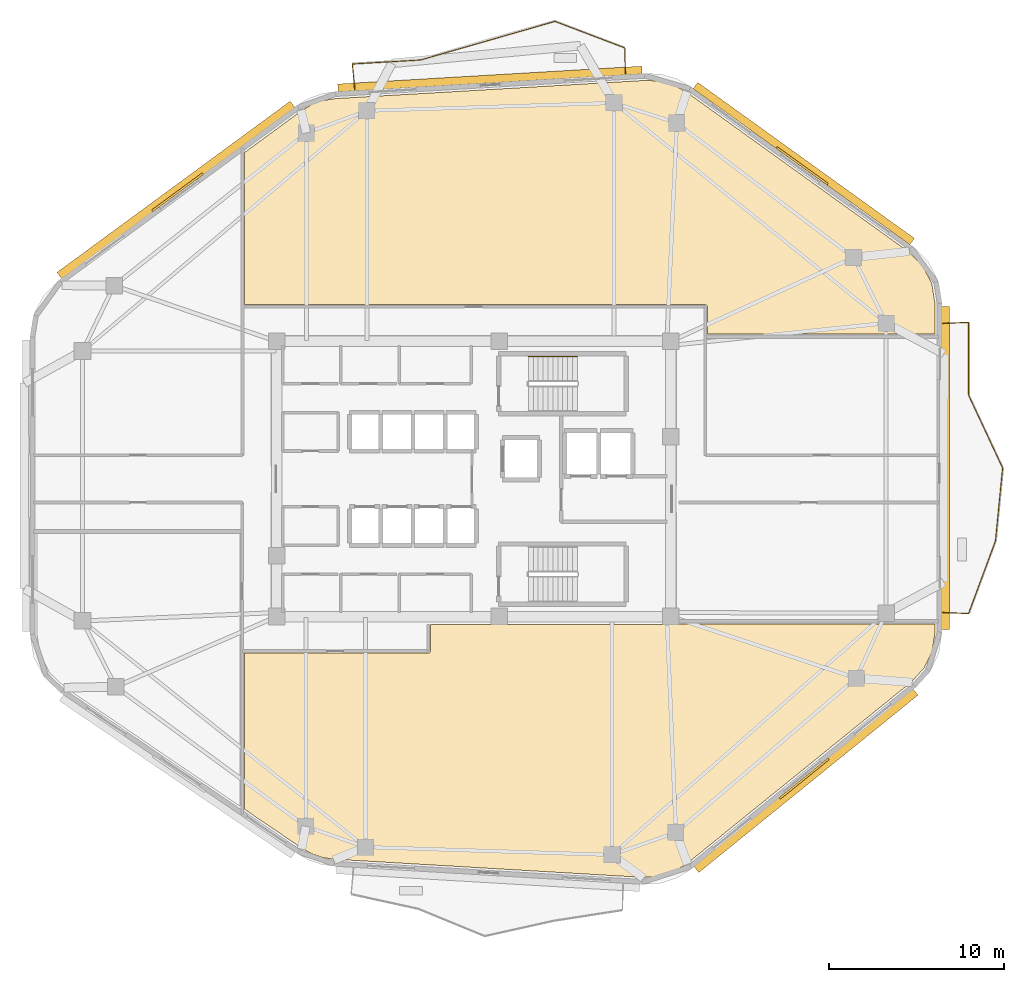
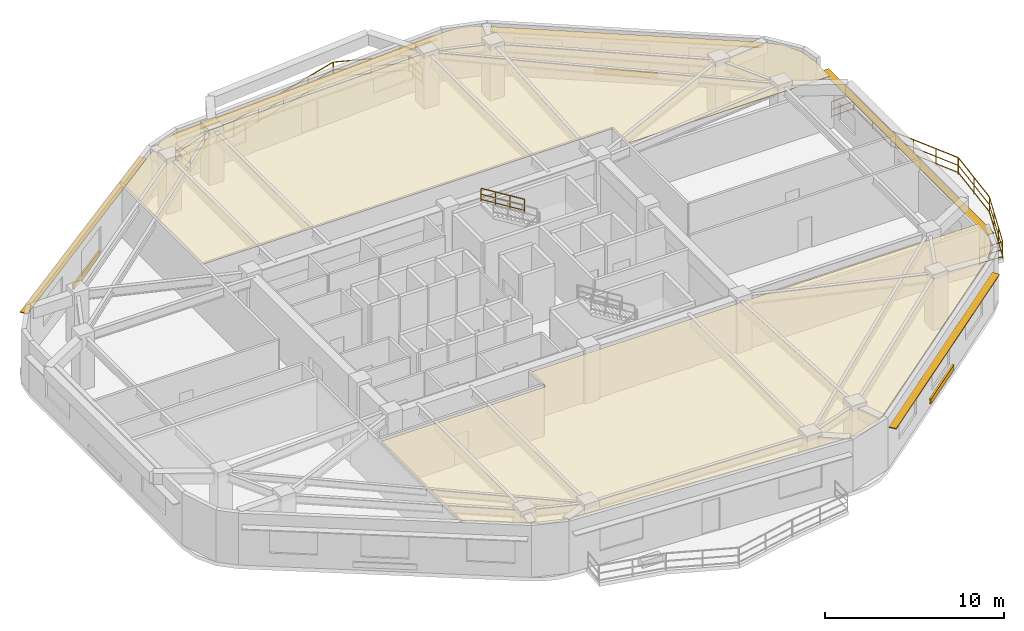
# One storey, part 8 of 8: 12 railings, 8 shading devices, 2 coverings.
"""IFC4 building model written with IfcOpenShell, lengths in metres."""

from ifc_helpers import new_model, si_unit, direction, frame, origin, origin_2d, place, context, subcontext, project, spatial, polyline, rectangle, outline, extrude, material, layer, layer_set, type_object, element, save


model = new_model("IFC4")

# Units and contexts
model_context = context("Model", 3, precision=1e-05, world=origin(), true_north=direction((0.0, 1.0)))
body_context = subcontext(model_context, "Body", "Model", "MODEL_VIEW")
ifc_project = project(units=[si_unit("LENGTHUNIT", "METRE"), si_unit("AREAUNIT", "SQUARE_METRE"), si_unit("VOLUMEUNIT", "CUBIC_METRE"), si_unit("PLANEANGLEUNIT", "RADIAN"), si_unit("MASSUNIT", "GRAM", prefix="KILO")], contexts=[model_context])

# Site, building, storey
site_placement = place(None, origin())
site = spatial("IfcSite", under=ifc_project, at=site_placement, CompositionType="ELEMENT")
building_placement = place(site_placement, origin())
building = spatial("IfcBuilding", under=site, at=building_placement, Name="Zulverin Broadcast Headquarters", CompositionType="ELEMENT")
storey_placement = place(building_placement, frame((0.0, 0.0, 204.800048828125)))
storey = spatial("IfcBuildingStorey", under=building, at=storey_placement, Name="L52", CompositionType="ELEMENT", Elevation=204.800048828125)

# Coverings
ifc_material_1 = material(Name="Perforated pale-metal acoustic baffle ceiling", Category="aluminium")
ifc_layer_1 = layer(ifc_material_1, 0.0400390625, Name="Perforated pale-metal acoustic baffle ceiling", Category="aluminium")
ifc_layer_set_1 = layer_set([ifc_layer_1], Name="Perforated pale-metal acoustic baffle ceiling")
covering_type = type_object("IfcCoveringType", Name="COV-CEIL-ACOU", PredefinedType="CEILING", material=ifc_layer_set_1)
covering_1_placement = place(storey_placement, frame((0.0, 0.0, 3.35986328125)))
element("IfcCovering", 1, at=covering_1_placement, inside=storey, type_object=covering_type, Name="L52 Acoustic Baffle Ceiling 01", PredefinedType="CEILING", context=body_context, shape_type="SweptSolid", body=[
    extrude(outline(polyline([(47.676025390625, 47.968017578125), (46.840087890625, 48.01611328125), (29.075927734375, 46.971923828125), (28.3759765625, 46.864013671875), (27.73193359375, 46.632080078125), (27.1279296875, 46.26806640625), (23.8720703125, 43.8798828125), (23.8720703125, 35.172119140625), (50.251953125, 35.172119140625), (50.263916015625, 35.172119140625), (50.27587890625, 35.16796875), (50.2880859375, 35.16796875), (50.2958984375, 35.1640625), (50.30810546875, 35.156005859375), (50.320068359375, 35.152099609375), (50.327880859375, 35.14404296875), (50.3359375, 35.135986328125), (50.343994140625, 35.1279296875), (50.35205078125, 35.1201171875), (50.35595703125, 35.10791015625), (50.364013671875, 35.095947265625), (50.367919921875, 35.087890625), (50.367919921875, 35.075927734375), (50.3720703125, 35.06396484375), (50.3720703125, 35.052001953125), (50.3720703125, 33.5), (63.39990234375, 33.5), (63.39990234375, 35.236083984375), (63.216064453125, 36.384033203125), (62.699951171875, 37.387939453125), (61.8798828125, 38.2080078125), (49.196044921875, 47.33203125), (48.4599609375, 47.739990234375), (47.676025390625, 47.968017578125)])), origin(), (0.0, 0.0, 1.0), 0.0400390625),
])
covering_2_placement = place(storey_placement, frame((0.0, 0.0, 3.35986328125)))
element("IfcCovering", 2, at=covering_2_placement, inside=storey, type_object=covering_type, Name="L52 Acoustic Baffle Ceiling 02", PredefinedType="CEILING", context=body_context, shape_type="SweptSolid", body=[
    extrude(outline(polyline([(48.6240234375, 16.884033203125), (48.612060546875, 16.8798828125), (48.60009765625, 16.8798828125), (34.52001953125, 16.8798828125), (34.52001953125, 15.35205078125), (34.52001953125, 15.340087890625), (34.51611328125, 15.327880859375), (34.51611328125, 15.31591796875), (34.511962890625, 15.30810546875), (34.50390625, 15.2958984375), (34.5, 15.283935546875), (34.491943359375, 15.27587890625), (34.48388671875, 15.26806640625), (34.47607421875, 15.260009765625), (34.468017578125, 15.251953125), (34.4560546875, 15.248046875), (34.444091796875, 15.239990234375), (34.43603515625, 15.236083984375), (34.424072265625, 15.236083984375), (34.412109375, 15.23193359375), (34.39990234375, 15.23193359375), (23.8720703125, 15.23193359375), (23.8720703125, 6.2919921875), (27.156005859375, 4.06396484375), (27.73193359375, 3.739990234375), (28.343994140625, 3.531982421875), (29.0, 3.431884765625), (46.7080078125, 2.39208984375), (47.612060546875, 2.451904296875), (48.4560546875, 2.719970703125), (49.22802734375, 3.199951171875), (62.0400390625, 13.572021484375), (62.780029296875, 14.3798828125), (63.239990234375, 15.340087890625), (63.39990234375, 16.419921875), (63.39990234375, 16.89990234375), (48.66796875, 16.89990234375), (48.656005859375, 16.89599609375), (48.64404296875, 16.887939453125), (48.635986328125, 16.884033203125), (48.6240234375, 16.884033203125)])), origin(), (0.0, 0.0, 1.0), 0.0400390625),
])

# Railings
ifc_material_2 = material(Name="Brushed stainless steel & laminated glass balustrade", Category="steel")
railing_type_1 = type_object("IfcRailingType", Name="RL-GUARD-1150", PredefinedType="GUARDRAIL", material=ifc_material_2)
railing_1_placement = place(storey_placement, frame((63.840087890625, 17.55029296875, 0.0)))
element("IfcRailing", 3, at=railing_1_placement, inside=storey, type_object=railing_type_1, Name="L52 Vertical-Forest Balcony Guardrail BAL_E Segment 01", PredefinedType="GUARDRAIL", context=body_context, shape_type="SweptSolid", body=[
    extrude(rectangle(XDim=0.048095703125, YDim=0.048095703125, at=origin_2d()), frame((0.0, 0.0, 1.1259765625), z_axis=(0.99918088253, -0.040466825742, 0.0), x_axis=(0.040466825742, 0.99918088253, 0.0)), (0.0, 0.0, 1.0), 1.466064453125),
    extrude(rectangle(XDim=0.0419921875, YDim=0.0419921875, at=origin_2d()), frame((0.0, 0.0, 0.597900390625), z_axis=(0.99918088253, -0.040466825742, 0.0), x_axis=(0.040466825742, 0.99918088253, 0.0)), (0.0, 0.0, 1.0), 1.466064453125),
    extrude(rectangle(XDim=0.0419921875, YDim=0.0419921875, at=origin_2d()), frame((0.0, 0.0, 0.1201171875), z_axis=(0.99918088253, -0.040466825742, 0.0), x_axis=(0.040466825742, 0.99918088253, 0.0)), (0.0, 0.0, 1.0), 1.466064453125),
    extrude(rectangle(XDim=0.0419921875, YDim=0.0419921875, at=origin_2d()), origin(), (0.0, 0.0, 1.0), 1.101806640625),
    extrude(rectangle(XDim=0.0419921875, YDim=0.0419921875, at=origin_2d()), frame((1.46484375, -0.059326171875, 0.0)), (0.0, 0.0, 1.0), 1.101806640625),
])
railing_2_placement = place(storey_placement, frame((65.3251953125, 17.50439453125, 0.0)))
element("IfcRailing", 4, at=railing_2_placement, inside=storey, type_object=railing_type_1, Name="L52 Vertical-Forest Balcony Guardrail BAL_E Segment 02", PredefinedType="GUARDRAIL", context=body_context, shape_type="SweptSolid", body=[
    extrude(rectangle(XDim=0.048095703125, YDim=0.048095703125, at=origin_2d()), frame((0.0, 0.0, 1.1259765625), z_axis=(0.347029795365, 0.937854104394, 0.0), x_axis=(-0.937854104394, 0.347029795365, 0.0)), (0.0, 0.0, 1.0), 4.415283203125),
    extrude(rectangle(XDim=0.0419921875, YDim=0.0419921875, at=origin_2d()), frame((0.0, 0.0, 0.597900390625), z_axis=(0.347029795365, 0.937854104394, 0.0), x_axis=(-0.937854104394, 0.347029795365, 0.0)), (0.0, 0.0, 1.0), 4.415283203125),
    extrude(rectangle(XDim=0.0419921875, YDim=0.0419921875, at=origin_2d()), frame((0.0, 0.0, 0.1201171875), z_axis=(0.347029795365, 0.937854104394, 0.0), x_axis=(-0.937854104394, 0.347029795365, 0.0)), (0.0, 0.0, 1.0), 4.415283203125),
    extrude(rectangle(XDim=0.0419921875, YDim=0.0419921875, at=origin_2d()), origin(), (0.0, 0.0, 1.0), 1.101806640625),
    extrude(rectangle(XDim=0.0419921875, YDim=0.0419921875, at=origin_2d()), frame((0.5107421875, 1.38037109375, 0.0)), (0.0, 0.0, 1.0), 1.101806640625),
    extrude(rectangle(XDim=0.0419921875, YDim=0.0419921875, at=origin_2d()), frame((1.021484375, 2.760498046875, 0.0)), (0.0, 0.0, 1.0), 1.101806640625),
    extrude(rectangle(XDim=0.0419921875, YDim=0.0419921875, at=origin_2d()), frame((1.5322265625, 4.140869140625, 0.0)), (0.0, 0.0, 1.0), 1.101806640625),
])
railing_3_placement = place(storey_placement, frame((66.864013671875, 21.67431640625, 0.0)))
element("IfcRailing", 5, at=railing_3_placement, inside=storey, type_object=railing_type_1, Name="L52 Vertical-Forest Balcony Guardrail BAL_E Segment 03", PredefinedType="GUARDRAIL", context=body_context, shape_type="SweptSolid", body=[
    extrude(rectangle(XDim=0.048095703125, YDim=0.048095703125, at=origin_2d()), frame((0.0, 0.0, 1.1259765625), z_axis=(0.097271576097, 0.995257876374, 0.0), x_axis=(-0.995257876374, 0.097271576097, 0.0)), (0.0, 0.0, 1.0), 4.158935546875),
    extrude(rectangle(XDim=0.0419921875, YDim=0.0419921875, at=origin_2d()), frame((0.0, 0.0, 0.597900390625), z_axis=(0.097271576097, 0.995257876374, 0.0), x_axis=(-0.995257876374, 0.097271576097, 0.0)), (0.0, 0.0, 1.0), 4.158935546875),
    extrude(rectangle(XDim=0.0419921875, YDim=0.0419921875, at=origin_2d()), frame((0.0, 0.0, 0.1201171875), z_axis=(0.097271576097, 0.995257876374, 0.0), x_axis=(-0.995257876374, 0.097271576097, 0.0)), (0.0, 0.0, 1.0), 4.158935546875),
    extrude(rectangle(XDim=0.0419921875, YDim=0.0419921875, at=origin_2d()), origin(), (0.0, 0.0, 1.0), 1.101806640625),
    extrude(rectangle(XDim=0.0419921875, YDim=0.0419921875, at=origin_2d()), frame((0.2021484375, 2.069580078125, 0.0)), (0.0, 0.0, 1.0), 1.101806640625),
    extrude(rectangle(XDim=0.0419921875, YDim=0.0419921875, at=origin_2d()), frame((0.404541015625, 4.13916015625, 0.0)), (0.0, 0.0, 1.0), 1.101806640625),
])
railing_4_placement = place(storey_placement, frame((67.263671875, 25.841796875, 0.0)))
element("IfcRailing", 6, at=railing_4_placement, inside=storey, type_object=railing_type_1, Name="L52 Vertical-Forest Balcony Guardrail BAL_E Segment 04", PredefinedType="GUARDRAIL", context=body_context, shape_type="SweptSolid", body=[
    extrude(rectangle(XDim=0.048095703125, YDim=0.048095703125, at=origin_2d()), frame((0.0, 0.0, 1.1259765625), z_axis=(-0.423674510022, 0.905814500633, 0.0), x_axis=(-0.905814500633, -0.423674510022, 0.0)), (0.0, 0.0, 1.0), 4.572509765625),
    extrude(rectangle(XDim=0.0419921875, YDim=0.0419921875, at=origin_2d()), frame((0.0, 0.0, 0.597900390625), z_axis=(-0.423674510022, 0.905814500633, 0.0), x_axis=(-0.905814500633, -0.423674510022, 0.0)), (0.0, 0.0, 1.0), 4.572509765625),
    extrude(rectangle(XDim=0.0419921875, YDim=0.0419921875, at=origin_2d()), frame((0.0, 0.0, 0.1201171875), z_axis=(-0.423674510022, 0.905814500633, 0.0), x_axis=(-0.905814500633, -0.423674510022, 0.0)), (0.0, 0.0, 1.0), 4.572509765625),
    extrude(rectangle(XDim=0.0419921875, YDim=0.0419921875, at=origin_2d()), origin(), (0.0, 0.0, 1.0), 1.101806640625),
    extrude(rectangle(XDim=0.0419921875, YDim=0.0419921875, at=origin_2d()), frame((-0.645751953125, 1.380615234375, 0.0)), (0.0, 0.0, 1.0), 1.101806640625),
    extrude(rectangle(XDim=0.0419921875, YDim=0.0419921875, at=origin_2d()), frame((-1.29150390625, 2.76123046875, 0.0)), (0.0, 0.0, 1.0), 1.101806640625),
    extrude(rectangle(XDim=0.0419921875, YDim=0.0419921875, at=origin_2d()), frame((-1.937255859375, 4.141845703125, 0.0)), (0.0, 0.0, 1.0), 1.101806640625),
])
railing_5_placement = place(storey_placement, frame((65.320068359375, 30.01220703125, 0.0)))
element("IfcRailing", 7, at=railing_5_placement, inside=storey, type_object=railing_type_1, Name="L52 Vertical-Forest Balcony Guardrail BAL_E Segment 05", PredefinedType="GUARDRAIL", context=body_context, shape_type="SweptSolid", body=[
    extrude(rectangle(XDim=0.048095703125, YDim=0.048095703125, at=origin_2d()), frame((0.0, 0.0, 1.1259765625), z_axis=(0.0, 1.0, 0.0), x_axis=(-1.0, 0.0, 0.0)), (0.0, 0.0, 1.0), 4.138916015625),
    extrude(rectangle(XDim=0.0419921875, YDim=0.0419921875, at=origin_2d()), frame((0.0, 0.0, 0.597900390625), z_axis=(0.0, 1.0, 0.0), x_axis=(-1.0, 0.0, 0.0)), (0.0, 0.0, 1.0), 4.138916015625),
    extrude(rectangle(XDim=0.0419921875, YDim=0.0419921875, at=origin_2d()), frame((0.0, 0.0, 0.1201171875), z_axis=(0.0, 1.0, 0.0), x_axis=(-1.0, 0.0, 0.0)), (0.0, 0.0, 1.0), 4.138916015625),
    extrude(rectangle(XDim=0.0419921875, YDim=0.0419921875, at=origin_2d()), origin(), (0.0, 0.0, 1.0), 1.101806640625),
    extrude(rectangle(XDim=0.0419921875, YDim=0.0419921875, at=origin_2d()), frame((0.0, 2.0693359375, 0.0)), (0.0, 0.0, 1.0), 1.101806640625),
    extrude(rectangle(XDim=0.0419921875, YDim=0.0419921875, at=origin_2d()), frame((0.0, 4.138916015625, 0.0)), (0.0, 0.0, 1.0), 1.101806640625),
])
railing_6_placement = place(storey_placement, frame((65.304931640625, 34.16552734375, 0.0)))
element("IfcRailing", 8, at=railing_6_placement, inside=storey, type_object=railing_type_1, Name="L52 Vertical-Forest Balcony Guardrail BAL_E Segment 06", PredefinedType="GUARDRAIL", context=body_context, shape_type="SweptSolid", body=[
    extrude(rectangle(XDim=0.048095703125, YDim=0.048095703125, at=origin_2d()), frame((0.0, 0.0, 1.1259765625), z_axis=(-0.99918088253, -0.040466825742, 0.0), x_axis=(0.040466825742, -0.99918088253, 0.0)), (0.0, 0.0, 1.0), 1.466064453125),
    extrude(rectangle(XDim=0.0419921875, YDim=0.0419921875, at=origin_2d()), frame((0.0, 0.0, 0.597900390625), z_axis=(-0.99918088253, -0.040466825742, 0.0), x_axis=(0.040466825742, -0.99918088253, 0.0)), (0.0, 0.0, 1.0), 1.466064453125),
    extrude(rectangle(XDim=0.0419921875, YDim=0.0419921875, at=origin_2d()), frame((0.0, 0.0, 0.1201171875), z_axis=(-0.99918088253, -0.040466825742, 0.0), x_axis=(0.040466825742, -0.99918088253, 0.0)), (0.0, 0.0, 1.0), 1.466064453125),
    extrude(rectangle(XDim=0.0419921875, YDim=0.0419921875, at=origin_2d()), origin(), (0.0, 0.0, 1.0), 1.101806640625),
    extrude(rectangle(XDim=0.0419921875, YDim=0.0419921875, at=origin_2d()), frame((-1.46484375, -0.059326171875, 0.0)), (0.0, 0.0, 1.0), 1.101806640625),
])
railing_7_placement = place(storey_placement, frame((45.677734375, 48.388427734375, 0.0)))
element("IfcRailing", 9, at=railing_7_placement, inside=storey, type_object=railing_type_1, Name="L52 Vertical-Forest Balcony Guardrail BAL_N Segment 01", PredefinedType="GUARDRAIL", context=body_context, shape_type="SweptSolid", body=[
    extrude(rectangle(XDim=0.048095703125, YDim=0.048095703125, at=origin_2d()), frame((0.0, 0.0, 1.1259765625), z_axis=(-0.018318045163, 0.999832210534, 0.0), x_axis=(-0.999832210534, -0.018318045163, 0.0)), (0.0, 0.0, 1.0), 1.466064453125),
    extrude(rectangle(XDim=0.0419921875, YDim=0.0419921875, at=origin_2d()), frame((0.0, 0.0, 0.597900390625), z_axis=(-0.018318045163, 0.999832210534, 0.0), x_axis=(-0.999832210534, -0.018318045163, 0.0)), (0.0, 0.0, 1.0), 1.466064453125),
    extrude(rectangle(XDim=0.0419921875, YDim=0.0419921875, at=origin_2d()), frame((0.0, 0.0, 0.1201171875), z_axis=(-0.018318045163, 0.999832210534, 0.0), x_axis=(-0.999832210534, -0.018318045163, 0.0)), (0.0, 0.0, 1.0), 1.466064453125),
    extrude(rectangle(XDim=0.0419921875, YDim=0.0419921875, at=origin_2d()), origin(), (0.0, 0.0, 1.0), 1.101806640625),
    extrude(rectangle(XDim=0.0419921875, YDim=0.0419921875, at=origin_2d()), frame((-0.02685546875, 1.4658203125, 0.0)), (0.0, 0.0, 1.0), 1.101806640625),
])
railing_8_placement = place(storey_placement, frame((45.63671875, 49.87451171875, 0.0)))
element("IfcRailing", 10, at=railing_8_placement, inside=storey, type_object=railing_type_1, Name="L52 Vertical-Forest Balcony Guardrail BAL_N Segment 02", PredefinedType="GUARDRAIL", context=body_context, shape_type="SweptSolid", body=[
    extrude(rectangle(XDim=0.048095703125, YDim=0.048095703125, at=origin_2d()), frame((0.0, 0.0, 1.1259765625), z_axis=(-0.934791965377, 0.355195694605, 0.0), x_axis=(-0.355195694605, -0.934791965377, 0.0)), (0.0, 0.0, 1.0), 4.25390625),
    extrude(rectangle(XDim=0.0419921875, YDim=0.0419921875, at=origin_2d()), frame((0.0, 0.0, 0.597900390625), z_axis=(-0.934791965377, 0.355195694605, 0.0), x_axis=(-0.355195694605, -0.934791965377, 0.0)), (0.0, 0.0, 1.0), 4.25390625),
    extrude(rectangle(XDim=0.0419921875, YDim=0.0419921875, at=origin_2d()), frame((0.0, 0.0, 0.1201171875), z_axis=(-0.934791965377, 0.355195694605, 0.0), x_axis=(-0.355195694605, -0.934791965377, 0.0)), (0.0, 0.0, 1.0), 4.25390625),
    extrude(rectangle(XDim=0.0419921875, YDim=0.0419921875, at=origin_2d()), origin(), (0.0, 0.0, 1.0), 1.101806640625),
    extrude(rectangle(XDim=0.0419921875, YDim=0.0419921875, at=origin_2d()), frame((-1.98828125, 0.75537109375, 0.0)), (0.0, 0.0, 1.0), 1.101806640625),
    extrude(rectangle(XDim=0.0419921875, YDim=0.0419921875, at=origin_2d()), frame((-3.9765625, 1.510986328125, 0.0)), (0.0, 0.0, 1.0), 1.101806640625),
])
railing_9_placement = place(storey_placement, frame((41.631591796875, 51.38671875, 0.0)))
element("IfcRailing", 11, at=railing_9_placement, inside=storey, type_object=railing_type_1, Name="L52 Vertical-Forest Balcony Guardrail BAL_N Segment 03", PredefinedType="GUARDRAIL", context=body_context, shape_type="SweptSolid", body=[
    extrude(rectangle(XDim=0.048095703125, YDim=0.048095703125, at=origin_2d()), frame((0.0, 0.0, 1.1259765625), z_axis=(-0.961187309385, -0.27589664057, 0.0), x_axis=(0.27589664057, -0.961187309385, 0.0)), (0.0, 0.0, 1.0), 7.98095703125),
    extrude(rectangle(XDim=0.0419921875, YDim=0.0419921875, at=origin_2d()), frame((0.0, 0.0, 0.597900390625), z_axis=(-0.961187309385, -0.27589664057, 0.0), x_axis=(0.27589664057, -0.961187309385, 0.0)), (0.0, 0.0, 1.0), 7.98095703125),
    extrude(rectangle(XDim=0.0419921875, YDim=0.0419921875, at=origin_2d()), frame((0.0, 0.0, 0.1201171875), z_axis=(-0.961187309385, -0.27589664057, 0.0), x_axis=(0.27589664057, -0.961187309385, 0.0)), (0.0, 0.0, 1.0), 7.98095703125),
    extrude(rectangle(XDim=0.0419921875, YDim=0.0419921875, at=origin_2d()), origin(), (0.0, 0.0, 1.0), 1.101806640625),
    extrude(rectangle(XDim=0.0419921875, YDim=0.0419921875, at=origin_2d()), frame((-1.917724609375, -0.550537109375, 0.0)), (0.0, 0.0, 1.0), 1.101806640625),
    extrude(rectangle(XDim=0.0419921875, YDim=0.0419921875, at=origin_2d()), frame((-3.83544921875, -1.10107421875, 0.0)), (0.0, 0.0, 1.0), 1.101806640625),
    extrude(rectangle(XDim=0.0419921875, YDim=0.0419921875, at=origin_2d()), frame((-5.75341796875, -1.6513671875, 0.0)), (0.0, 0.0, 1.0), 1.101806640625),
    extrude(rectangle(XDim=0.0419921875, YDim=0.0419921875, at=origin_2d()), frame((-7.671142578125, -2.201904296875, 0.0)), (0.0, 0.0, 1.0), 1.101806640625),
])
railing_10_placement = place(storey_placement, frame((33.93115234375, 49.179931640625, 0.0)))
element("IfcRailing", 12, at=railing_10_placement, inside=storey, type_object=railing_type_1, Name="L52 Vertical-Forest Balcony Guardrail BAL_N Segment 04", PredefinedType="GUARDRAIL", context=body_context, shape_type="SweptSolid", body=[
    extrude(rectangle(XDim=0.048095703125, YDim=0.048095703125, at=origin_2d()), frame((0.0, 0.0, 1.1259765625), z_axis=(-0.998273721898, -0.058733092605, 0.0), x_axis=(0.058733092605, -0.998273721898, 0.0)), (0.0, 0.0, 1.0), 3.878173828125),
    extrude(rectangle(XDim=0.0419921875, YDim=0.0419921875, at=origin_2d()), frame((0.0, 0.0, 0.597900390625), z_axis=(-0.998273721898, -0.058733092605, 0.0), x_axis=(0.058733092605, -0.998273721898, 0.0)), (0.0, 0.0, 1.0), 3.878173828125),
    extrude(rectangle(XDim=0.0419921875, YDim=0.0419921875, at=origin_2d()), frame((0.0, 0.0, 0.1201171875), z_axis=(-0.998273721898, -0.058733092605, 0.0), x_axis=(0.058733092605, -0.998273721898, 0.0)), (0.0, 0.0, 1.0), 3.878173828125),
    extrude(rectangle(XDim=0.0419921875, YDim=0.0419921875, at=origin_2d()), origin(), (0.0, 0.0, 1.0), 1.101806640625),
    extrude(rectangle(XDim=0.0419921875, YDim=0.0419921875, at=origin_2d()), frame((-1.935791015625, -0.11376953125, 0.0)), (0.0, 0.0, 1.0), 1.101806640625),
    extrude(rectangle(XDim=0.0419921875, YDim=0.0419921875, at=origin_2d()), frame((-3.87158203125, -0.227783203125, 0.0)), (0.0, 0.0, 1.0), 1.101806640625),
])
railing_11_placement = place(storey_placement, frame((30.0458984375, 48.936279296875, 0.0)))
element("IfcRailing", 13, at=railing_11_placement, inside=storey, type_object=railing_type_1, Name="L52 Vertical-Forest Balcony Guardrail BAL_N Segment 05", PredefinedType="GUARDRAIL", context=body_context, shape_type="SweptSolid", body=[
    extrude(rectangle(XDim=0.048095703125, YDim=0.048095703125, at=origin_2d()), frame((0.0, 0.0, 1.1259765625), z_axis=(0.099256382944, -0.995061892771, 0.0), x_axis=(0.995061892771, 0.099256382944, 0.0)), (0.0, 0.0, 1.0), 1.466064453125),
    extrude(rectangle(XDim=0.0419921875, YDim=0.0419921875, at=origin_2d()), frame((0.0, 0.0, 0.597900390625), z_axis=(0.099256382944, -0.995061892771, 0.0), x_axis=(0.995061892771, 0.099256382944, 0.0)), (0.0, 0.0, 1.0), 1.466064453125),
    extrude(rectangle(XDim=0.0419921875, YDim=0.0419921875, at=origin_2d()), frame((0.0, 0.0, 0.1201171875), z_axis=(0.099256382944, -0.995061892771, 0.0), x_axis=(0.995061892771, 0.099256382944, 0.0)), (0.0, 0.0, 1.0), 1.466064453125),
    extrude(rectangle(XDim=0.0419921875, YDim=0.0419921875, at=origin_2d()), origin(), (0.0, 0.0, 1.0), 1.101806640625),
    extrude(rectangle(XDim=0.0419921875, YDim=0.0419921875, at=origin_2d()), frame((0.1455078125, -1.458740234375, 0.0)), (0.0, 0.0, 1.0), 1.101806640625),
])
ifc_material_3 = material(Name="Brushed stainless steel 48 mm handrail", Category="steel")
railing_type_2 = type_object("IfcRailingType", Name="RL-ST-HAND", PredefinedType="HANDRAIL", material=ifc_material_3)
railing_12_placement = place(storey_placement, frame((42.929931640625, 32.199951171875, 2.07275390625)))
element("IfcRailing", 14, at=railing_12_placement, inside=storey, type_object=railing_type_2, Name="L52 ST-1 stair handrail 2", PredefinedType="HANDRAIL", context=body_context, shape_type="SweptSolid", body=[
    extrude(rectangle(XDim=0.048095703125, YDim=0.048095703125, at=origin_2d()), frame((0.0, 0.0, 0.8759765625), z_axis=(-0.851089632645, 0.0, 0.525020415988), x_axis=(0.0, -1.0, 0.0)), (0.0, 0.0, 1.0), 3.2900390625),
    extrude(rectangle(XDim=0.0419921875, YDim=0.0419921875, at=origin_2d()), frame((0.0, 0.0, 0.468017578125), z_axis=(-0.851089632645, 0.0, 0.525020415988), x_axis=(0.0, -1.0, 0.0)), (0.0, 0.0, 1.0), 3.2900390625),
    extrude(rectangle(XDim=0.0419921875, YDim=0.0419921875, at=origin_2d()), frame((0.0, 0.0, 0.1201171875), z_axis=(-0.851089632645, 0.0, 0.525020415988), x_axis=(0.0, -1.0, 0.0)), (0.0, 0.0, 1.0), 3.2900390625),
    extrude(rectangle(XDim=0.0419921875, YDim=0.0419921875, at=origin_2d()), origin(), (0.0, 0.0, 1.0), 0.851806640625),
    extrude(rectangle(XDim=0.0419921875, YDim=0.0419921875, at=origin_2d()), frame((-0.933349609375, 0.0, 0.57568359375)), (0.0, 0.0, 1.0), 0.851806640625),
    extrude(rectangle(XDim=0.0419921875, YDim=0.0419921875, at=origin_2d()), frame((-1.86669921875, 0.0, 1.151611328125)), (0.0, 0.0, 1.0), 0.851806640625),
    extrude(rectangle(XDim=0.0419921875, YDim=0.0419921875, at=origin_2d()), frame((-2.800048828125, 0.0, 1.727294921875)), (0.0, 0.0, 1.0), 0.851806640625),
])

# Shading devices
ifc_material_4 = material(Name="Anodized pale-metal aluminium acoustic louvre", Category="aluminium")
shading_device_type_1 = type_object("IfcShadingDeviceType", Name="SHD-LOUVRE-350", PredefinedType="USERDEFINED", material=ifc_material_4)
for number, where, z_axis, x_axis, name in (
    (15, (55.913818359375, 8.047119140625, 0.244873046875), (0.0, 0.0, 1.0), (0.777274454694, 0.629161681987, 0.0), "L52 Spandrel Intake Louvre 2"),
    (16, (55.7958984375, 43.124267578125, 0.244873046875), (0.0, 0.0, 1.0), (-0.811723852333, 0.58404142623, 0.0), "L52 Spandrel Intake Louvre 4"),
    (17, (20.04443359375, 41.614990234375, 0.244873046875), (0.0, 0.0, 1.0), (-0.806096670674, -0.591783877382, 0.0), "L52 Spandrel Intake Louvre 6"),
):
    element("IfcShadingDevice", number, at=place(storey_placement, frame(where, z_axis=z_axis, x_axis=x_axis)), inside=storey, type_object=shading_device_type_1, Name=name, ObjectType="LOUVRE", PredefinedType="USERDEFINED", context=body_context, shape_type="SweptSolid", body=[
        extrude(rectangle(XDim=3.60009765625, YDim=0.1201171875, at=origin_2d()), origin(), (0.0, 0.0, 1.0), 0.35009765625),
    ])
ifc_material_5 = material(Name="Anodized pale-metal aluminium sunshade", Category="aluminium")
ifc_layer_2 = layer(ifc_material_5, 0.06005859375, Name="Anodized pale-metal aluminium sunshade", Category="aluminium")
ifc_layer_set_2 = layer_set([ifc_layer_2], Name="Anodized pale-metal aluminium sunshade")
shading_device_type_2 = type_object("IfcShadingDeviceType", Name="SS-01_PALE_METAL_ALUMINIUM_SUNSHADE", PredefinedType="USERDEFINED", material=ifc_layer_set_2)
shading_device_1_placement = place(storey_placement, frame((56.014404296875, 7.922607421875, 2.7099609375), z_axis=(0.0, 0.0, 1.0), x_axis=(0.777274454694, 0.629161681987, 0.0)))
element("IfcShadingDevice", 18, at=shading_device_1_placement, inside=storey, type_object=shading_device_type_2, Name="L52 Horizontal Pale-Metal Sunshade Band 2", ObjectType="SUNSHADE", PredefinedType="USERDEFINED", context=body_context, shape_type="SweptSolid", body=[
    extrude(rectangle(XDim=16.139892578125, YDim=0.449951171875, at=origin_2d()), origin(), (0.0, 0.0, 1.0), 0.06005859375),
])
shading_device_2_placement = place(storey_placement, frame((64.0, 25.828369140625, 2.619873046875), z_axis=(0.0, 0.0, 1.0), x_axis=(0.0, 1.0, 0.0)))
element("IfcShadingDevice", 19, at=shading_device_2_placement, inside=storey, type_object=shading_device_type_2, Name="L52 Horizontal Pale-Metal Sunshade Band 3", ObjectType="SUNSHADE", PredefinedType="USERDEFINED", context=body_context, shape_type="SweptSolid", body=[
    extrude(rectangle(XDim=18.475830078125, YDim=0.449951171875, at=origin_2d()), origin(), (0.0, 0.0, 1.0), 0.06005859375),
])
shading_device_3_placement = place(storey_placement, frame((55.889404296875, 43.254150390625, 2.7099609375), z_axis=(0.0, 0.0, 1.0), x_axis=(-0.811723852333, 0.58404142623, 0.0)))
element("IfcShadingDevice", 20, at=shading_device_3_placement, inside=storey, type_object=shading_device_type_2, Name="L52 Horizontal Pale-Metal Sunshade Band 4", ObjectType="SUNSHADE", PredefinedType="USERDEFINED", context=body_context, shape_type="SweptSolid", body=[
    extrude(rectangle(XDim=15.279296875, YDim=0.449951171875, at=origin_2d()), origin(), (0.0, 0.0, 1.0), 0.06005859375),
])
shading_device_4_placement = place(storey_placement, frame((37.925048828125, 48.0927734375, 2.7099609375), z_axis=(0.0, 0.0, 1.0), x_axis=(-0.998274332859, -0.058722707319, 0.0)))
element("IfcShadingDevice", 21, at=shading_device_4_placement, inside=storey, type_object=shading_device_type_2, Name="L52 Horizontal Pale-Metal Sunshade Band 5", ObjectType="SUNSHADE", PredefinedType="USERDEFINED", context=body_context, shape_type="SweptSolid", body=[
    extrude(rectangle(XDim=17.43310546875, YDim=0.449951171875, at=origin_2d()), origin(), (0.0, 0.0, 1.0), 0.06005859375),
])
shading_device_5_placement = place(storey_placement, frame((19.94970703125, 41.743896484375, 2.7099609375), z_axis=(0.0, 0.0, 1.0), x_axis=(-0.806096670674, -0.591783877382, 0.0)))
element("IfcShadingDevice", 22, at=shading_device_5_placement, inside=storey, type_object=shading_device_type_2, Name="L52 Horizontal Pale-Metal Sunshade Band 6", ObjectType="SUNSHADE", PredefinedType="USERDEFINED", context=body_context, shape_type="SweptSolid", body=[
    extrude(rectangle(XDim=16.558837890625, YDim=0.449951171875, at=origin_2d()), origin(), (0.0, 0.0, 1.0), 0.06005859375),
])

save(model, "model.ifc")
